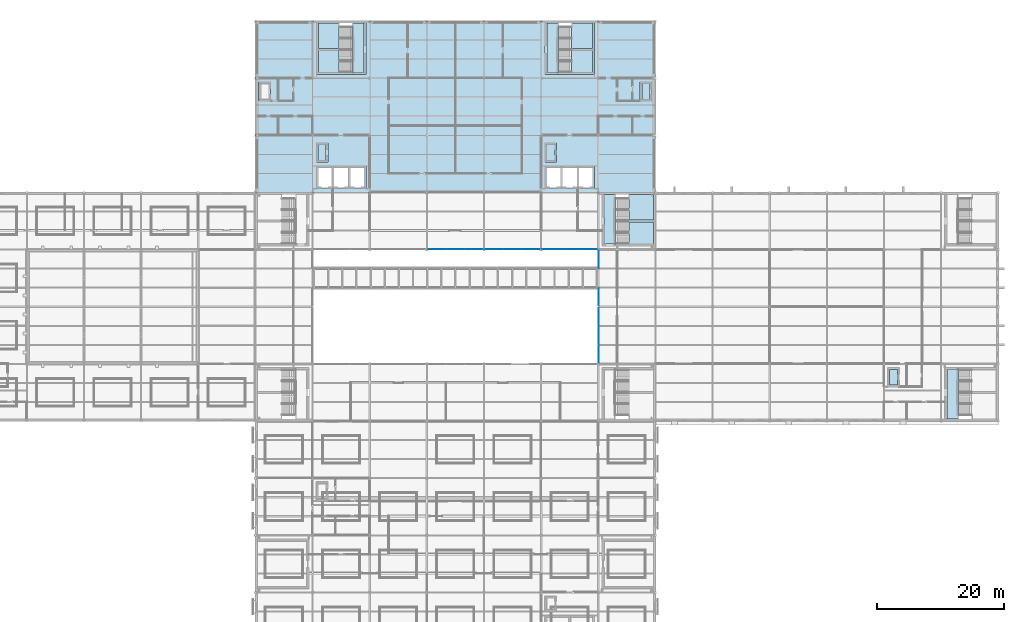
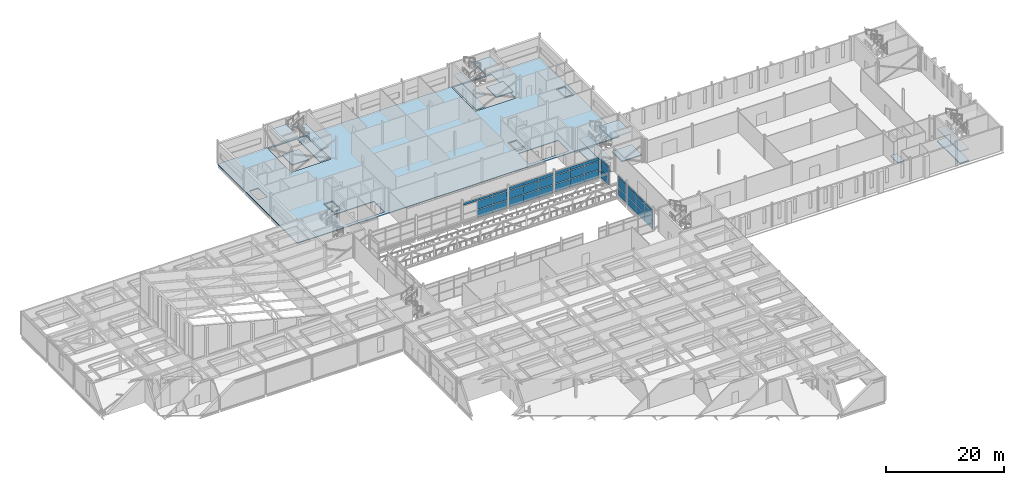
# One storey, part 73 of 115: 40 plates, 19 slabs, 10 elements without a shape of their own.
"""IFC4 building model written with IfcOpenShell, lengths in metres."""

from ifc_helpers import new_model, si_unit, direction, frame, origin, origin_2d, place, context, subcontext, project, spatial, polyline, rectangle, outline, extrude, material, layer, layer_set, type_object, element, aggregate, save


model = new_model("IFC4")

# Units and contexts
model_context = context("Model", 3, precision=1e-05, world=origin(), true_north=direction((0.0, 1.0)))
body_context = subcontext(model_context, "Body", "Model", "MODEL_VIEW")
ifc_project = project(units=[si_unit("LENGTHUNIT", "METRE"), si_unit("AREAUNIT", "SQUARE_METRE"), si_unit("VOLUMEUNIT", "CUBIC_METRE"), si_unit("PLANEANGLEUNIT", "RADIAN"), si_unit("MASSUNIT", "GRAM", prefix="KILO")], contexts=[model_context])

# Site, building, storey
site_placement = place(None, origin())
site = spatial("IfcSite", under=ifc_project, at=site_placement, CompositionType="ELEMENT")
building_placement = place(site_placement, origin())
building = spatial("IfcBuilding", under=site, at=building_placement, Name="Shorebreak Coast Museum", CompositionType="ELEMENT")
storey_placement = place(building_placement, frame((0.0, 0.0, 11.0)))
storey = spatial("IfcBuildingStorey", under=building, at=storey_placement, Name="L02", CompositionType="ELEMENT", Elevation=11.0)

# Curtain wall, plates
ifc_material_1 = material(Name="Aluminium", Category="aluminium")
ifc_layer_1 = layer(ifc_material_1, 0.1201171875)
ifc_layer_set_1 = layer_set([ifc_layer_1], Name="Aluminium")
curtain_wall_type = type_object("IfcCurtainWallType", Name="Atrium fire screen", PredefinedType="NOTDEFINED", material=ifc_layer_set_1)
curtain_wall_1_placement = place(storey_placement, origin())
curtain_wall_1 = element("IfcCurtainWall", 1, at=curtain_wall_1_placement, inside=storey, type_object=curtain_wall_type, Name="Atrium screen L02 N 24", PredefinedType="NOTDEFINED")
ifc_material_2 = material(Name="Glass", Category="glass")
ifc_layer_2 = layer(ifc_material_2, 0.034912109375)
ifc_layer_set_2 = layer_set([ifc_layer_2], Name="Glass")
plate_type = type_object("IfcPlateType", Name="Fire-resisting glass panel 35", PredefinedType="CURTAIN_PANEL", material=ifc_layer_set_2)
plate_1_placement = place(storey_placement, frame((82.6162109375, 81.06005859375, 3.659912109375), z_axis=(0.0, 0.0, 1.0), x_axis=(1.0, 0.0, 0.0)))
plate_1 = element("IfcPlate", 2, at=plate_1_placement, type_object=plate_type, Name="CW4 panel 1.3", PredefinedType="CURTAIN_PANEL", context=body_context, shape_type="SweptSolid", body=[
    extrude(rectangle(XDim=2.8212890625, YDim=0.034912109375, at=origin_2d()), origin(), (0.0, 0.0, 1.0), 0.43310546875),
])
plate_2_placement = place(storey_placement, frame((85.5, 81.06005859375, 0.119873046875), z_axis=(0.0, 0.0, 1.0), x_axis=(1.0, 0.0, 0.0)))
plate_2 = element("IfcPlate", 3, at=plate_2_placement, type_object=plate_type, Name="CW4 panel 2.1", PredefinedType="CURTAIN_PANEL", context=body_context, shape_type="SweptSolid", body=[
    extrude(rectangle(XDim=2.846435546875, YDim=0.034912109375, at=origin_2d()), origin(), (0.0, 0.0, 1.0), 1.6201171875),
])
plate_3_placement = place(storey_placement, frame((85.5, 81.06005859375, 1.85986328125), z_axis=(0.0, 0.0, 1.0), x_axis=(1.0, 0.0, 0.0)))
plate_3 = element("IfcPlate", 4, at=plate_3_placement, type_object=plate_type, Name="CW4 panel 2.2", PredefinedType="CURTAIN_PANEL", context=body_context, shape_type="SweptSolid", body=[
    extrude(rectangle(XDim=2.846435546875, YDim=0.034912109375, at=origin_2d()), origin(), (0.0, 0.0, 1.0), 1.679931640625),
])
plate_4_placement = place(storey_placement, frame((85.5, 81.06005859375, 3.659912109375), z_axis=(0.0, 0.0, 1.0), x_axis=(1.0, 0.0, 0.0)))
plate_4 = element("IfcPlate", 5, at=plate_4_placement, type_object=plate_type, Name="CW4 panel 2.3", PredefinedType="CURTAIN_PANEL", context=body_context, shape_type="SweptSolid", body=[
    extrude(rectangle(XDim=2.846435546875, YDim=0.034912109375, at=origin_2d()), origin(), (0.0, 0.0, 1.0), 0.43310546875),
])
plate_5_placement = place(storey_placement, frame((88.3837890625, 81.06005859375, 0.119873046875), z_axis=(0.0, 0.0, 1.0), x_axis=(1.0, 0.0, 0.0)))
plate_5 = element("IfcPlate", 6, at=plate_5_placement, type_object=plate_type, Name="CW4 panel 3.1", PredefinedType="CURTAIN_PANEL", context=body_context, shape_type="SweptSolid", body=[
    extrude(rectangle(XDim=2.8212890625, YDim=0.034912109375, at=origin_2d()), origin(), (0.0, 0.0, 1.0), 1.6201171875),
])
plate_6_placement = place(storey_placement, frame((88.3837890625, 81.06005859375, 1.85986328125), z_axis=(0.0, 0.0, 1.0), x_axis=(1.0, 0.0, 0.0)))
plate_6 = element("IfcPlate", 7, at=plate_6_placement, type_object=plate_type, Name="CW4 panel 3.2", PredefinedType="CURTAIN_PANEL", context=body_context, shape_type="SweptSolid", body=[
    extrude(rectangle(XDim=2.8212890625, YDim=0.034912109375, at=origin_2d()), origin(), (0.0, 0.0, 1.0), 1.679931640625),
])
plate_7_placement = place(storey_placement, frame((88.3837890625, 81.06005859375, 3.659912109375), z_axis=(0.0, 0.0, 1.0), x_axis=(1.0, 0.0, 0.0)))
plate_7 = element("IfcPlate", 8, at=plate_7_placement, type_object=plate_type, Name="CW4 panel 3.3", PredefinedType="CURTAIN_PANEL", context=body_context, shape_type="SweptSolid", body=[
    extrude(rectangle(XDim=2.8212890625, YDim=0.034912109375, at=origin_2d()), origin(), (0.0, 0.0, 1.0), 0.43310546875),
])
aggregate(curtain_wall_1, [plate_1, plate_2, plate_3, plate_4, plate_5, plate_6, plate_7])

curtain_wall_2_placement = place(storey_placement, origin())
curtain_wall_2 = element("IfcCurtainWall", 9, at=curtain_wall_2_placement, inside=storey, type_object=curtain_wall_type, Name="Atrium screen L02 N 25", PredefinedType="NOTDEFINED")
plate_8_placement = place(storey_placement, frame((91.6162109375, 81.06005859375, 0.119873046875), z_axis=(0.0, 0.0, 1.0), x_axis=(1.0, 0.0, 0.0)))
plate_8 = element("IfcPlate", 10, at=plate_8_placement, type_object=plate_type, Name="CW5 panel 1.1", PredefinedType="CURTAIN_PANEL", context=body_context, shape_type="SweptSolid", body=[
    extrude(rectangle(XDim=2.8212890625, YDim=0.034912109375, at=origin_2d()), origin(), (0.0, 0.0, 1.0), 1.6201171875),
])
plate_9_placement = place(storey_placement, frame((91.6162109375, 81.06005859375, 1.85986328125), z_axis=(0.0, 0.0, 1.0), x_axis=(1.0, 0.0, 0.0)))
plate_9 = element("IfcPlate", 11, at=plate_9_placement, type_object=plate_type, Name="CW5 panel 1.2", PredefinedType="CURTAIN_PANEL", context=body_context, shape_type="SweptSolid", body=[
    extrude(rectangle(XDim=2.8212890625, YDim=0.034912109375, at=origin_2d()), origin(), (0.0, 0.0, 1.0), 1.679931640625),
])
plate_10_placement = place(storey_placement, frame((91.6162109375, 81.06005859375, 3.66015625), z_axis=(0.0, 0.0, 1.0), x_axis=(1.0, 0.0, 0.0)))
plate_10 = element("IfcPlate", 12, at=plate_10_placement, type_object=plate_type, Name="CW5 panel 1.3", PredefinedType="CURTAIN_PANEL", context=body_context, shape_type="SweptSolid", body=[
    extrude(rectangle(XDim=2.8212890625, YDim=0.034912109375, at=origin_2d()), origin(), (0.0, 0.0, 1.0), 0.642333984375),
])
plate_11_placement = place(storey_placement, frame((94.5, 81.06005859375, 0.119873046875), z_axis=(0.0, 0.0, 1.0), x_axis=(1.0, 0.0, 0.0)))
plate_11 = element("IfcPlate", 13, at=plate_11_placement, type_object=plate_type, Name="CW5 panel 2.1", PredefinedType="CURTAIN_PANEL", context=body_context, shape_type="SweptSolid", body=[
    extrude(rectangle(XDim=2.846435546875, YDim=0.034912109375, at=origin_2d()), origin(), (0.0, 0.0, 1.0), 1.6201171875),
])
plate_12_placement = place(storey_placement, frame((94.5, 81.06005859375, 1.85986328125), z_axis=(0.0, 0.0, 1.0), x_axis=(1.0, 0.0, 0.0)))
plate_12 = element("IfcPlate", 14, at=plate_12_placement, type_object=plate_type, Name="CW5 panel 2.2", PredefinedType="CURTAIN_PANEL", context=body_context, shape_type="SweptSolid", body=[
    extrude(rectangle(XDim=2.846435546875, YDim=0.034912109375, at=origin_2d()), origin(), (0.0, 0.0, 1.0), 1.679931640625),
])
plate_13_placement = place(storey_placement, frame((94.5, 81.06005859375, 3.66015625), z_axis=(0.0, 0.0, 1.0), x_axis=(1.0, 0.0, 0.0)))
plate_13 = element("IfcPlate", 15, at=plate_13_placement, type_object=plate_type, Name="CW5 panel 2.3", PredefinedType="CURTAIN_PANEL", context=body_context, shape_type="SweptSolid", body=[
    extrude(rectangle(XDim=2.846435546875, YDim=0.034912109375, at=origin_2d()), origin(), (0.0, 0.0, 1.0), 0.642333984375),
])
plate_14_placement = place(storey_placement, frame((97.3837890625, 81.06005859375, 0.119873046875), z_axis=(0.0, 0.0, 1.0), x_axis=(1.0, 0.0, 0.0)))
plate_14 = element("IfcPlate", 16, at=plate_14_placement, type_object=plate_type, Name="CW5 panel 3.1", PredefinedType="CURTAIN_PANEL", context=body_context, shape_type="SweptSolid", body=[
    extrude(rectangle(XDim=2.8212890625, YDim=0.034912109375, at=origin_2d()), origin(), (0.0, 0.0, 1.0), 1.6201171875),
])
plate_15_placement = place(storey_placement, frame((97.3837890625, 81.06005859375, 1.85986328125), z_axis=(0.0, 0.0, 1.0), x_axis=(1.0, 0.0, 0.0)))
plate_15 = element("IfcPlate", 17, at=plate_15_placement, type_object=plate_type, Name="CW5 panel 3.2", PredefinedType="CURTAIN_PANEL", context=body_context, shape_type="SweptSolid", body=[
    extrude(rectangle(XDim=2.8212890625, YDim=0.034912109375, at=origin_2d()), origin(), (0.0, 0.0, 1.0), 1.679931640625),
])
plate_16_placement = place(storey_placement, frame((97.3837890625, 81.06005859375, 3.66015625), z_axis=(0.0, 0.0, 1.0), x_axis=(1.0, 0.0, 0.0)))
plate_16 = element("IfcPlate", 18, at=plate_16_placement, type_object=plate_type, Name="CW5 panel 3.3", PredefinedType="CURTAIN_PANEL", context=body_context, shape_type="SweptSolid", body=[
    extrude(rectangle(XDim=2.8212890625, YDim=0.034912109375, at=origin_2d()), origin(), (0.0, 0.0, 1.0), 0.642333984375),
])
aggregate(curtain_wall_2, [plate_8, plate_9, plate_10, plate_11, plate_12, plate_13, plate_14, plate_15, plate_16])

curtain_wall_3_placement = place(storey_placement, origin())
curtain_wall_3 = element("IfcCurtainWall", 19, at=curtain_wall_3_placement, inside=storey, type_object=curtain_wall_type, Name="Atrium screen L02 N 26", PredefinedType="NOTDEFINED")
plate_17_placement = place(storey_placement, frame((100.6162109375, 81.06005859375, 0.119873046875), z_axis=(0.0, 0.0, 1.0), x_axis=(1.0, 0.0, 0.0)))
plate_17 = element("IfcPlate", 20, at=plate_17_placement, type_object=plate_type, Name="CW6 panel 1.1", PredefinedType="CURTAIN_PANEL", context=body_context, shape_type="SweptSolid", body=[
    extrude(rectangle(XDim=2.8212890625, YDim=0.034912109375, at=origin_2d()), origin(), (0.0, 0.0, 1.0), 1.6201171875),
])
plate_18_placement = place(storey_placement, frame((100.6162109375, 81.06005859375, 1.85986328125), z_axis=(0.0, 0.0, 1.0), x_axis=(1.0, 0.0, 0.0)))
plate_18 = element("IfcPlate", 21, at=plate_18_placement, type_object=plate_type, Name="CW6 panel 1.2", PredefinedType="CURTAIN_PANEL", context=body_context, shape_type="SweptSolid", body=[
    extrude(rectangle(XDim=2.8212890625, YDim=0.034912109375, at=origin_2d()), origin(), (0.0, 0.0, 1.0), 1.679931640625),
])
plate_19_placement = place(storey_placement, frame((100.6162109375, 81.06005859375, 3.66015625), z_axis=(0.0, 0.0, 1.0), x_axis=(1.0, 0.0, 0.0)))
plate_19 = element("IfcPlate", 22, at=plate_19_placement, type_object=plate_type, Name="CW6 panel 1.3", PredefinedType="CURTAIN_PANEL", context=body_context, shape_type="SweptSolid", body=[
    extrude(rectangle(XDim=2.8212890625, YDim=0.034912109375, at=origin_2d()), origin(), (0.0, 0.0, 1.0), 0.642333984375),
])
plate_20_placement = place(storey_placement, frame((103.5, 81.06005859375, 0.119873046875), z_axis=(0.0, 0.0, 1.0), x_axis=(1.0, 0.0, 0.0)))
plate_20 = element("IfcPlate", 23, at=plate_20_placement, type_object=plate_type, Name="CW6 panel 2.1", PredefinedType="CURTAIN_PANEL", context=body_context, shape_type="SweptSolid", body=[
    extrude(rectangle(XDim=2.846435546875, YDim=0.034912109375, at=origin_2d()), origin(), (0.0, 0.0, 1.0), 1.6201171875),
])
plate_21_placement = place(storey_placement, frame((103.5, 81.06005859375, 1.85986328125), z_axis=(0.0, 0.0, 1.0), x_axis=(1.0, 0.0, 0.0)))
plate_21 = element("IfcPlate", 24, at=plate_21_placement, type_object=plate_type, Name="CW6 panel 2.2", PredefinedType="CURTAIN_PANEL", context=body_context, shape_type="SweptSolid", body=[
    extrude(rectangle(XDim=2.846435546875, YDim=0.034912109375, at=origin_2d()), origin(), (0.0, 0.0, 1.0), 1.679931640625),
])
plate_22_placement = place(storey_placement, frame((103.5, 81.06005859375, 3.66015625), z_axis=(0.0, 0.0, 1.0), x_axis=(1.0, 0.0, 0.0)))
plate_22 = element("IfcPlate", 25, at=plate_22_placement, type_object=plate_type, Name="CW6 panel 2.3", PredefinedType="CURTAIN_PANEL", context=body_context, shape_type="SweptSolid", body=[
    extrude(rectangle(XDim=2.846435546875, YDim=0.034912109375, at=origin_2d()), origin(), (0.0, 0.0, 1.0), 0.642333984375),
])
plate_23_placement = place(storey_placement, frame((106.3837890625, 81.06005859375, 0.119873046875), z_axis=(0.0, 0.0, 1.0), x_axis=(1.0, 0.0, 0.0)))
plate_23 = element("IfcPlate", 26, at=plate_23_placement, type_object=plate_type, Name="CW6 panel 3.1", PredefinedType="CURTAIN_PANEL", context=body_context, shape_type="SweptSolid", body=[
    extrude(rectangle(XDim=2.8212890625, YDim=0.034912109375, at=origin_2d()), origin(), (0.0, 0.0, 1.0), 1.6201171875),
])
plate_24_placement = place(storey_placement, frame((106.3837890625, 81.06005859375, 1.85986328125), z_axis=(0.0, 0.0, 1.0), x_axis=(1.0, 0.0, 0.0)))
plate_24 = element("IfcPlate", 27, at=plate_24_placement, type_object=plate_type, Name="CW6 panel 3.2", PredefinedType="CURTAIN_PANEL", context=body_context, shape_type="SweptSolid", body=[
    extrude(rectangle(XDim=2.8212890625, YDim=0.034912109375, at=origin_2d()), origin(), (0.0, 0.0, 1.0), 1.679931640625),
])
plate_25_placement = place(storey_placement, frame((106.3837890625, 81.06005859375, 3.66015625), z_axis=(0.0, 0.0, 1.0), x_axis=(1.0, 0.0, 0.0)))
plate_25 = element("IfcPlate", 28, at=plate_25_placement, type_object=plate_type, Name="CW6 panel 3.3", PredefinedType="CURTAIN_PANEL", context=body_context, shape_type="SweptSolid", body=[
    extrude(rectangle(XDim=2.8212890625, YDim=0.034912109375, at=origin_2d()), origin(), (0.0, 0.0, 1.0), 0.642333984375),
])
aggregate(curtain_wall_3, [plate_17, plate_18, plate_19, plate_20, plate_21, plate_22, plate_23, plate_24, plate_25])

curtain_wall_4_placement = place(storey_placement, origin())
curtain_wall_4 = element("IfcCurtainWall", 29, at=curtain_wall_4_placement, inside=storey, type_object=curtain_wall_type, Name="Atrium screen L02 E 30", PredefinedType="NOTDEFINED")
plate_26_placement = place(storey_placement, frame((108.06005859375, 64.62158203125, 0.119873046875), z_axis=(0.0, 0.0, 1.0), x_axis=(0.0, 1.0, 0.0)))
plate_26 = element("IfcPlate", 30, at=plate_26_placement, type_object=plate_type, Name="CW4 panel 1.1", PredefinedType="CURTAIN_PANEL", context=body_context, shape_type="SweptSolid", body=[
    extrude(rectangle(XDim=2.81591796875, YDim=0.034912109375, at=origin_2d()), origin(), (0.0, 0.0, 1.0), 1.6201171875),
])
plate_27_placement = place(storey_placement, frame((108.06005859375, 64.62158203125, 1.85986328125), z_axis=(0.0, 0.0, 1.0), x_axis=(0.0, 1.0, 0.0)))
plate_27 = element("IfcPlate", 31, at=plate_27_placement, type_object=plate_type, Name="CW4 panel 1.2", PredefinedType="CURTAIN_PANEL", context=body_context, shape_type="SweptSolid", body=[
    extrude(rectangle(XDim=2.81591796875, YDim=0.034912109375, at=origin_2d()), origin(), (0.0, 0.0, 1.0), 1.679931640625),
])
plate_28_placement = place(storey_placement, frame((108.06005859375, 64.62158203125, 3.66015625), z_axis=(0.0, 0.0, 1.0), x_axis=(0.0, 1.0, 0.0)))
plate_28 = element("IfcPlate", 32, at=plate_28_placement, type_object=plate_type, Name="CW4 panel 1.3", PredefinedType="CURTAIN_PANEL", context=body_context, shape_type="SweptSolid", body=[
    extrude(rectangle(XDim=2.81591796875, YDim=0.034912109375, at=origin_2d()), origin(), (0.0, 0.0, 1.0), 0.516845703125),
])
plate_29_placement = place(storey_placement, frame((108.06005859375, 67.5, 0.119873046875), z_axis=(0.0, 0.0, 1.0), x_axis=(0.0, 1.0, 0.0)))
plate_29 = element("IfcPlate", 33, at=plate_29_placement, type_object=plate_type, Name="CW4 panel 2.1", PredefinedType="CURTAIN_PANEL", context=body_context, shape_type="SweptSolid", body=[
    extrude(rectangle(XDim=2.8408203125, YDim=0.034912109375, at=origin_2d()), origin(), (0.0, 0.0, 1.0), 1.6201171875),
])
plate_30_placement = place(storey_placement, frame((108.06005859375, 67.5, 1.85986328125), z_axis=(0.0, 0.0, 1.0), x_axis=(0.0, 1.0, 0.0)))
plate_30 = element("IfcPlate", 34, at=plate_30_placement, type_object=plate_type, Name="CW4 panel 2.2", PredefinedType="CURTAIN_PANEL", context=body_context, shape_type="SweptSolid", body=[
    extrude(rectangle(XDim=2.8408203125, YDim=0.034912109375, at=origin_2d()), origin(), (0.0, 0.0, 1.0), 1.679931640625),
])
plate_31_placement = place(storey_placement, frame((108.06005859375, 67.5, 3.66015625), z_axis=(0.0, 0.0, 1.0), x_axis=(0.0, 1.0, 0.0)))
plate_31 = element("IfcPlate", 35, at=plate_31_placement, type_object=plate_type, Name="CW4 panel 2.3", PredefinedType="CURTAIN_PANEL", context=body_context, shape_type="SweptSolid", body=[
    extrude(rectangle(XDim=2.8408203125, YDim=0.034912109375, at=origin_2d()), origin(), (0.0, 0.0, 1.0), 0.516845703125),
])
plate_32_placement = place(storey_placement, frame((108.06005859375, 70.37841796875, 0.119873046875), z_axis=(0.0, 0.0, 1.0), x_axis=(0.0, 1.0, 0.0)))
plate_32 = element("IfcPlate", 36, at=plate_32_placement, type_object=plate_type, Name="CW4 panel 3.1", PredefinedType="CURTAIN_PANEL", context=body_context, shape_type="SweptSolid", body=[
    extrude(rectangle(XDim=2.81591796875, YDim=0.034912109375, at=origin_2d()), origin(), (0.0, 0.0, 1.0), 1.6201171875),
])
plate_33_placement = place(storey_placement, frame((108.06005859375, 70.37841796875, 1.85986328125), z_axis=(0.0, 0.0, 1.0), x_axis=(0.0, 1.0, 0.0)))
plate_33 = element("IfcPlate", 37, at=plate_33_placement, type_object=plate_type, Name="CW4 panel 3.2", PredefinedType="CURTAIN_PANEL", context=body_context, shape_type="SweptSolid", body=[
    extrude(rectangle(XDim=2.81591796875, YDim=0.034912109375, at=origin_2d()), origin(), (0.0, 0.0, 1.0), 1.679931640625),
])
plate_34_placement = place(storey_placement, frame((108.06005859375, 70.37841796875, 3.66015625), z_axis=(0.0, 0.0, 1.0), x_axis=(0.0, 1.0, 0.0)))
plate_34 = element("IfcPlate", 38, at=plate_34_placement, type_object=plate_type, Name="CW4 panel 3.3", PredefinedType="CURTAIN_PANEL", context=body_context, shape_type="SweptSolid", body=[
    extrude(rectangle(XDim=2.81591796875, YDim=0.034912109375, at=origin_2d()), origin(), (0.0, 0.0, 1.0), 0.516845703125),
])
aggregate(curtain_wall_4, [plate_26, plate_27, plate_28, plate_29, plate_30, plate_31, plate_32, plate_33, plate_34])

curtain_wall_5_placement = place(storey_placement, origin())
curtain_wall_5 = element("IfcCurtainWall", 39, at=curtain_wall_5_placement, inside=storey, type_object=curtain_wall_type, Name="Atrium screen L02 E 31", PredefinedType="NOTDEFINED")
plate_35_placement = place(storey_placement, frame((108.06005859375, 73.581787109375, 0.119873046875), z_axis=(0.0, 0.0, 1.0), x_axis=(0.0, 1.0, 0.0)))
plate_35 = element("IfcPlate", 40, at=plate_35_placement, type_object=plate_type, Name="CW5 panel 1.1", PredefinedType="CURTAIN_PANEL", context=body_context, shape_type="SweptSolid", body=[
    extrude(rectangle(XDim=2.736328125, YDim=0.034912109375, at=origin_2d()), origin(), (0.0, 0.0, 1.0), 1.6201171875),
])
plate_36_placement = place(storey_placement, frame((108.06005859375, 73.581787109375, 1.85986328125), z_axis=(0.0, 0.0, 1.0), x_axis=(0.0, 1.0, 0.0)))
plate_36 = element("IfcPlate", 41, at=plate_36_placement, type_object=plate_type, Name="CW5 panel 1.2", PredefinedType="CURTAIN_PANEL", context=body_context, shape_type="SweptSolid", body=[
    extrude(rectangle(XDim=2.736328125, YDim=0.034912109375, at=origin_2d()), origin(), (0.0, 0.0, 1.0), 1.679931640625),
])
plate_37_placement = place(storey_placement, frame((108.06005859375, 73.581787109375, 3.66015625), z_axis=(0.0, 0.0, 1.0), x_axis=(0.0, 1.0, 0.0)))
plate_37 = element("IfcPlate", 42, at=plate_37_placement, type_object=plate_type, Name="CW5 panel 1.3", PredefinedType="CURTAIN_PANEL", context=body_context, shape_type="SweptSolid", body=[
    extrude(rectangle(XDim=2.736328125, YDim=0.034912109375, at=origin_2d()), origin(), (0.0, 0.0, 1.0), 0.516845703125),
])
aggregate(curtain_wall_5, [plate_35, plate_36, plate_37])

curtain_wall_6_placement = place(storey_placement, origin())
curtain_wall_6 = element("IfcCurtainWall", 43, at=curtain_wall_6_placement, inside=storey, type_object=curtain_wall_type, Name="Atrium screen L02 E 32", PredefinedType="NOTDEFINED")
plate_38_placement = place(storey_placement, frame((108.06005859375, 79.418212890625, 0.119873046875), z_axis=(0.0, 0.0, 1.0), x_axis=(0.0, 1.0, 0.0)))
plate_38 = element("IfcPlate", 44, at=plate_38_placement, type_object=plate_type, Name="CW6 panel 1.1", PredefinedType="CURTAIN_PANEL", context=body_context, shape_type="SweptSolid", body=[
    extrude(rectangle(XDim=2.736328125, YDim=0.034912109375, at=origin_2d()), origin(), (0.0, 0.0, 1.0), 1.6201171875),
])
plate_39_placement = place(storey_placement, frame((108.06005859375, 79.418212890625, 1.85986328125), z_axis=(0.0, 0.0, 1.0), x_axis=(0.0, 1.0, 0.0)))
plate_39 = element("IfcPlate", 45, at=plate_39_placement, type_object=plate_type, Name="CW6 panel 1.2", PredefinedType="CURTAIN_PANEL", context=body_context, shape_type="SweptSolid", body=[
    extrude(rectangle(XDim=2.736328125, YDim=0.034912109375, at=origin_2d()), origin(), (0.0, 0.0, 1.0), 1.679931640625),
])
plate_40_placement = place(storey_placement, frame((108.06005859375, 79.418212890625, 3.66015625), z_axis=(0.0, 0.0, 1.0), x_axis=(0.0, 1.0, 0.0)))
plate_40 = element("IfcPlate", 46, at=plate_40_placement, type_object=plate_type, Name="CW6 panel 1.3", PredefinedType="CURTAIN_PANEL", context=body_context, shape_type="SweptSolid", body=[
    extrude(rectangle(XDim=2.736328125, YDim=0.034912109375, at=origin_2d()), origin(), (0.0, 0.0, 1.0), 0.516845703125),
])
aggregate(curtain_wall_6, [plate_38, plate_39, plate_40])

# Slabs
ifc_material_3 = material(Name="Concrete N40 (40 MPa)", Category="concrete")
ifc_layer_3 = layer(ifc_material_3, 0.175048828125)
ifc_layer_set_3 = layer_set([ifc_layer_3], Name="Concrete N40 (40 MPa)")
slab_type_1 = type_object("IfcSlabType", Name="Floor slab 175 concrete N40", PredefinedType="FLOOR", material=ifc_layer_set_3)
slab_1_placement = place(storey_placement, frame((0.0, 0.0, -0.175048828125)))
element("IfcSlab", 47, at=slab_1_placement, inside=storey, type_object=slab_type_1, Name="Floor slab L02 north arm", PredefinedType="FLOOR", context=body_context, shape_type="SweptSolid", body=[
    extrude(outline(polyline([(117.0, 90.0), (117.0, 117.0), (54.0, 117.0), (54.0, 90.0), (117.0, 90.0)]), holes=[polyline([(107.39990234375, 90.60009765625), (99.60009765625, 90.60009765625), (99.60009765625, 94.199951171875), (107.39990234375, 94.199951171875), (107.39990234375, 90.60009765625)]), polyline([(63.60009765625, 90.60009765625), (63.60009765625, 94.199951171875), (71.39990234375, 94.199951171875), (71.39990234375, 90.60009765625), (63.60009765625, 90.60009765625)]), polyline([(99.60009765625, 97.800048828125), (101.39990234375, 97.800048828125), (101.39990234375, 94.800048828125), (99.60009765625, 94.800048828125), (99.60009765625, 97.800048828125)]), polyline([(65.39990234375, 97.800048828125), (65.39990234375, 94.800048828125), (63.60009765625, 94.800048828125), (63.60009765625, 97.800048828125), (65.39990234375, 97.800048828125)]), polyline([(56.39990234375, 104.39990234375), (54.60009765625, 104.39990234375), (54.60009765625, 107.39990234375), (56.39990234375, 107.39990234375), (56.39990234375, 104.39990234375)]), polyline([(114.60009765625, 104.39990234375), (114.60009765625, 107.39990234375), (116.39990234375, 107.39990234375), (116.39990234375, 104.39990234375), (114.60009765625, 104.39990234375)]), polyline([(63.60009765625, 116.699951171875), (71.39990234375, 116.699951171875), (71.39990234375, 108.60009765625), (63.60009765625, 108.60009765625), (63.60009765625, 116.699951171875)]), polyline([(107.39990234375, 116.699951171875), (107.39990234375, 108.60009765625), (99.60009765625, 108.60009765625), (99.60009765625, 116.699951171875), (107.39990234375, 116.699951171875)])]), origin(), (0.0, 0.0, 1.0), 0.175048828125),
])
ifc_material_4 = material(Name="Concrete N40 (40 MPa)", Category="concrete")
ifc_layer_4 = layer(ifc_material_4, 0.10009765625)
ifc_layer_set_4 = layer_set([ifc_layer_4], Name="Concrete N40 (40 MPa)")
slab_type_2 = type_object("IfcSlabType", Name="Riser platform 100", PredefinedType="USERDEFINED", material=ifc_layer_set_4)
slab_2_placement = place(storey_placement, frame((0.0, 0.0, -0.10009765625)))
element("IfcSlab", 48, at=slab_2_placement, inside=storey, type_object=slab_type_2, Name="Riser platform R-WC-N2 L02", ObjectType="RISER PLATFORM", PredefinedType="USERDEFINED", context=body_context, shape_type="SweptSolid", body=[
    extrude(outline(polyline([(114.85009765625, 104.64990234375), (116.14990234375, 104.64990234375), (116.14990234375, 107.14990234375), (114.85009765625, 107.14990234375), (114.85009765625, 104.64990234375)])), origin(), (0.0, 0.0, 1.0), 0.10009765625),
])
slab_3_placement = place(storey_placement, frame((0.0, 0.0, -0.10009765625)))
element("IfcSlab", 49, at=slab_3_placement, inside=storey, type_object=slab_type_2, Name="Riser platform R-WC-E L02", ObjectType="RISER PLATFORM", PredefinedType="USERDEFINED", context=body_context, shape_type="SweptSolid", body=[
    extrude(outline(polyline([(153.85009765625, 59.64990234375), (155.14990234375, 59.64990234375), (155.14990234375, 62.14990234375), (153.85009765625, 62.14990234375), (153.85009765625, 59.64990234375)])), origin(), (0.0, 0.0, 1.0), 0.10009765625),
])
slab_4_placement = place(storey_placement, frame((0.0, 0.0, -0.10009765625)))
element("IfcSlab", 50, at=slab_4_placement, inside=storey, type_object=slab_type_2, Name="Riser platform R-LBW L02", ObjectType="RISER PLATFORM", PredefinedType="USERDEFINED", context=body_context, shape_type="SweptSolid", body=[
    extrude(outline(polyline([(63.85009765625, 95.050048828125), (65.14990234375, 95.050048828125), (65.14990234375, 97.550048828125), (63.85009765625, 97.550048828125), (63.85009765625, 95.050048828125)])), origin(), (0.0, 0.0, 1.0), 0.10009765625),
])
slab_5_placement = place(storey_placement, frame((0.0, 0.0, -0.10009765625)))
element("IfcSlab", 51, at=slab_5_placement, inside=storey, type_object=slab_type_2, Name="Riser platform R-LBE L02", ObjectType="RISER PLATFORM", PredefinedType="USERDEFINED", context=body_context, shape_type="SweptSolid", body=[
    extrude(outline(polyline([(99.85009765625, 95.050048828125), (101.14990234375, 95.050048828125), (101.14990234375, 97.550048828125), (99.85009765625, 97.550048828125), (99.85009765625, 95.050048828125)])), origin(), (0.0, 0.0, 1.0), 0.10009765625),
])

# Stair, slabs
ifc_material_5 = material(Name="Concrete N40 (40 MPa)", Category="concrete")
stair_type = type_object("IfcStairType", Name="Stair run 5 m", PredefinedType="DOUBLE_RETURN_STAIR", material=ifc_material_5)
stair_1_placement = place(storey_placement, origin())
stair_1 = element("IfcStair", 52, at=stair_1_placement, inside=storey, type_object=stair_type, Name="Exit stair ST04-L02", PredefinedType="DOUBLE_RETURN_STAIR")
ifc_material_6 = material(Name="Concrete N40 (40 MPa)", Category="concrete")
ifc_layer_5 = layer(ifc_material_6, 0.199951171875)
ifc_layer_set_5 = layer_set([ifc_layer_5], Name="Concrete N40 (40 MPa)")
slab_type_3 = type_object("IfcSlabType", Name="Stair landing 200", PredefinedType="LANDING", material=ifc_layer_set_5)
slab_6_placement = place(storey_placement, frame((0.0, 0.0, -0.199951171875)))
slab_6 = element("IfcSlab", 53, at=slab_6_placement, type_object=slab_type_3, Name="ST04-L02 landing 1", PredefinedType="LANDING", context=body_context, shape_type="SweptSolid", body=[
    extrude(outline(polyline([(108.89990234375, 81.89990234375), (110.699951171875, 81.89990234375), (110.699951171875, 89.699951171875), (108.89990234375, 89.699951171875), (108.89990234375, 81.89990234375)])), origin(), (0.0, 0.0, 1.0), 0.199951171875),
])
slab_7_placement = place(storey_placement, frame((0.0, 0.0, 2.300048828125)))
slab_7 = element("IfcSlab", 54, at=slab_7_placement, type_object=slab_type_3, Name="ST04-L02 landing 2", PredefinedType="LANDING", context=body_context, shape_type="SweptSolid", body=[
    extrude(outline(polyline([(108.89990234375, 81.89990234375), (110.699951171875, 81.89990234375), (110.699951171875, 89.699951171875), (108.89990234375, 89.699951171875), (108.89990234375, 81.89990234375)])), origin(), (0.0, 0.0, 1.0), 0.199951171875),
])
slab_8_placement = place(storey_placement, frame((0.0, 0.0, 1.050048828125)))
slab_8 = element("IfcSlab", 55, at=slab_8_placement, type_object=slab_type_3, Name="ST04-L02 landing 3", PredefinedType="LANDING", context=body_context, shape_type="SweptSolid", body=[
    extrude(outline(polyline([(112.800048828125, 81.89990234375), (116.699951171875, 81.89990234375), (116.699951171875, 85.35009765625), (112.800048828125, 85.35009765625), (112.800048828125, 81.89990234375)])), origin(), (0.0, 0.0, 1.0), 0.199951171875),
])
slab_9_placement = place(storey_placement, frame((0.0, 0.0, 3.550048828125)))
slab_9 = element("IfcSlab", 56, at=slab_9_placement, type_object=slab_type_3, Name="ST04-L02 landing 4", PredefinedType="LANDING", context=body_context, shape_type="SweptSolid", body=[
    extrude(outline(polyline([(112.800048828125, 85.64990234375), (116.699951171875, 85.64990234375), (116.699951171875, 89.699951171875), (112.800048828125, 89.699951171875), (112.800048828125, 85.64990234375)])), origin(), (0.0, 0.0, 1.0), 0.199951171875),
])
aggregate(stair_1, [slab_6, slab_7, slab_8, slab_9])

stair_2_placement = place(storey_placement, origin())
stair_2 = element("IfcStair", 57, at=stair_2_placement, inside=storey, type_object=stair_type, Name="Exit stair ST07-L02", PredefinedType="DOUBLE_RETURN_STAIR")
slab_10_placement = place(storey_placement, frame((0.0, 0.0, -0.199951171875)))
slab_10 = element("IfcSlab", 58, at=slab_10_placement, type_object=slab_type_3, Name="ST07-L02 landing 1", PredefinedType="LANDING", context=body_context, shape_type="SweptSolid", body=[
    extrude(outline(polyline([(162.89990234375, 54.300048828125), (164.699951171875, 54.300048828125), (164.699951171875, 62.10009765625), (162.89990234375, 62.10009765625), (162.89990234375, 54.300048828125)])), origin(), (0.0, 0.0, 1.0), 0.199951171875),
])
slab_11_placement = place(storey_placement, frame((0.0, 0.0, 2.300048828125)))
slab_11 = element("IfcSlab", 59, at=slab_11_placement, type_object=slab_type_3, Name="ST07-L02 landing 2", PredefinedType="LANDING", context=body_context, shape_type="SweptSolid", body=[
    extrude(outline(polyline([(162.89990234375, 54.300048828125), (164.699951171875, 54.300048828125), (164.699951171875, 62.10009765625), (162.89990234375, 62.10009765625), (162.89990234375, 54.300048828125)])), origin(), (0.0, 0.0, 1.0), 0.199951171875),
])
aggregate(stair_2, [slab_10, slab_11])

stair_3_placement = place(storey_placement, origin())
stair_3 = element("IfcStair", 60, at=stair_3_placement, inside=storey, type_object=stair_type, Name="Exit stair ST09-L02", PredefinedType="DOUBLE_RETURN_STAIR")
slab_12_placement = place(storey_placement, frame((0.0, 0.0, -0.199951171875)))
slab_12 = element("IfcSlab", 61, at=slab_12_placement, type_object=slab_type_3, Name="ST09-L02 landing 1", PredefinedType="LANDING", context=body_context, shape_type="SweptSolid", body=[
    extrude(outline(polyline([(69.300048828125, 108.89990234375), (71.10009765625, 108.89990234375), (71.10009765625, 116.699951171875), (69.300048828125, 116.699951171875), (69.300048828125, 108.89990234375)])), origin(), (0.0, 0.0, 1.0), 0.199951171875),
])
slab_13_placement = place(storey_placement, frame((0.0, 0.0, 2.300048828125)))
slab_13 = element("IfcSlab", 62, at=slab_13_placement, type_object=slab_type_3, Name="ST09-L02 landing 2", PredefinedType="LANDING", context=body_context, shape_type="SweptSolid", body=[
    extrude(outline(polyline([(69.300048828125, 108.89990234375), (71.10009765625, 108.89990234375), (71.10009765625, 116.699951171875), (69.300048828125, 116.699951171875), (69.300048828125, 108.89990234375)])), origin(), (0.0, 0.0, 1.0), 0.199951171875),
])
slab_14_placement = place(storey_placement, frame((0.0, 0.0, 1.050048828125)))
slab_14 = element("IfcSlab", 63, at=slab_14_placement, type_object=slab_type_3, Name="ST09-L02 landing 3", PredefinedType="LANDING", context=body_context, shape_type="SweptSolid", body=[
    extrude(outline(polyline([(63.89990234375, 108.89990234375), (67.199951171875, 108.89990234375), (67.199951171875, 112.35009765625), (63.89990234375, 112.35009765625), (63.89990234375, 108.89990234375)])), origin(), (0.0, 0.0, 1.0), 0.199951171875),
])
slab_15_placement = place(storey_placement, frame((0.0, 0.0, 3.550048828125)))
slab_15 = element("IfcSlab", 64, at=slab_15_placement, type_object=slab_type_3, Name="ST09-L02 landing 4", PredefinedType="LANDING", context=body_context, shape_type="SweptSolid", body=[
    extrude(outline(polyline([(63.89990234375, 112.64990234375), (67.199951171875, 112.64990234375), (67.199951171875, 116.699951171875), (63.89990234375, 116.699951171875), (63.89990234375, 112.64990234375)])), origin(), (0.0, 0.0, 1.0), 0.199951171875),
])
aggregate(stair_3, [slab_12, slab_13, slab_14, slab_15])

stair_4_placement = place(storey_placement, origin())
stair_4 = element("IfcStair", 65, at=stair_4_placement, inside=storey, type_object=stair_type, Name="Exit stair ST10-L02", PredefinedType="DOUBLE_RETURN_STAIR")
slab_16_placement = place(storey_placement, frame((0.0, 0.0, -0.199951171875)))
slab_16 = element("IfcSlab", 66, at=slab_16_placement, type_object=slab_type_3, Name="ST10-L02 landing 1", PredefinedType="LANDING", context=body_context, shape_type="SweptSolid", body=[
    extrude(outline(polyline([(99.89990234375, 108.89990234375), (101.699951171875, 108.89990234375), (101.699951171875, 116.699951171875), (99.89990234375, 116.699951171875), (99.89990234375, 108.89990234375)])), origin(), (0.0, 0.0, 1.0), 0.199951171875),
])
slab_17_placement = place(storey_placement, frame((0.0, 0.0, 2.300048828125)))
slab_17 = element("IfcSlab", 67, at=slab_17_placement, type_object=slab_type_3, Name="ST10-L02 landing 2", PredefinedType="LANDING", context=body_context, shape_type="SweptSolid", body=[
    extrude(outline(polyline([(99.89990234375, 108.89990234375), (101.699951171875, 108.89990234375), (101.699951171875, 116.699951171875), (99.89990234375, 116.699951171875), (99.89990234375, 108.89990234375)])), origin(), (0.0, 0.0, 1.0), 0.199951171875),
])
slab_18_placement = place(storey_placement, frame((0.0, 0.0, 1.050048828125)))
slab_18 = element("IfcSlab", 68, at=slab_18_placement, type_object=slab_type_3, Name="ST10-L02 landing 3", PredefinedType="LANDING", context=body_context, shape_type="SweptSolid", body=[
    extrude(outline(polyline([(103.800048828125, 108.89990234375), (107.10009765625, 108.89990234375), (107.10009765625, 112.35009765625), (103.800048828125, 112.35009765625), (103.800048828125, 108.89990234375)])), origin(), (0.0, 0.0, 1.0), 0.199951171875),
])
slab_19_placement = place(storey_placement, frame((0.0, 0.0, 3.550048828125)))
slab_19 = element("IfcSlab", 69, at=slab_19_placement, type_object=slab_type_3, Name="ST10-L02 landing 4", PredefinedType="LANDING", context=body_context, shape_type="SweptSolid", body=[
    extrude(outline(polyline([(103.800048828125, 112.64990234375), (107.10009765625, 112.64990234375), (107.10009765625, 116.699951171875), (103.800048828125, 116.699951171875), (103.800048828125, 112.64990234375)])), origin(), (0.0, 0.0, 1.0), 0.199951171875),
])
aggregate(stair_4, [slab_16, slab_17, slab_18, slab_19])

save(model, "model.ifc")
